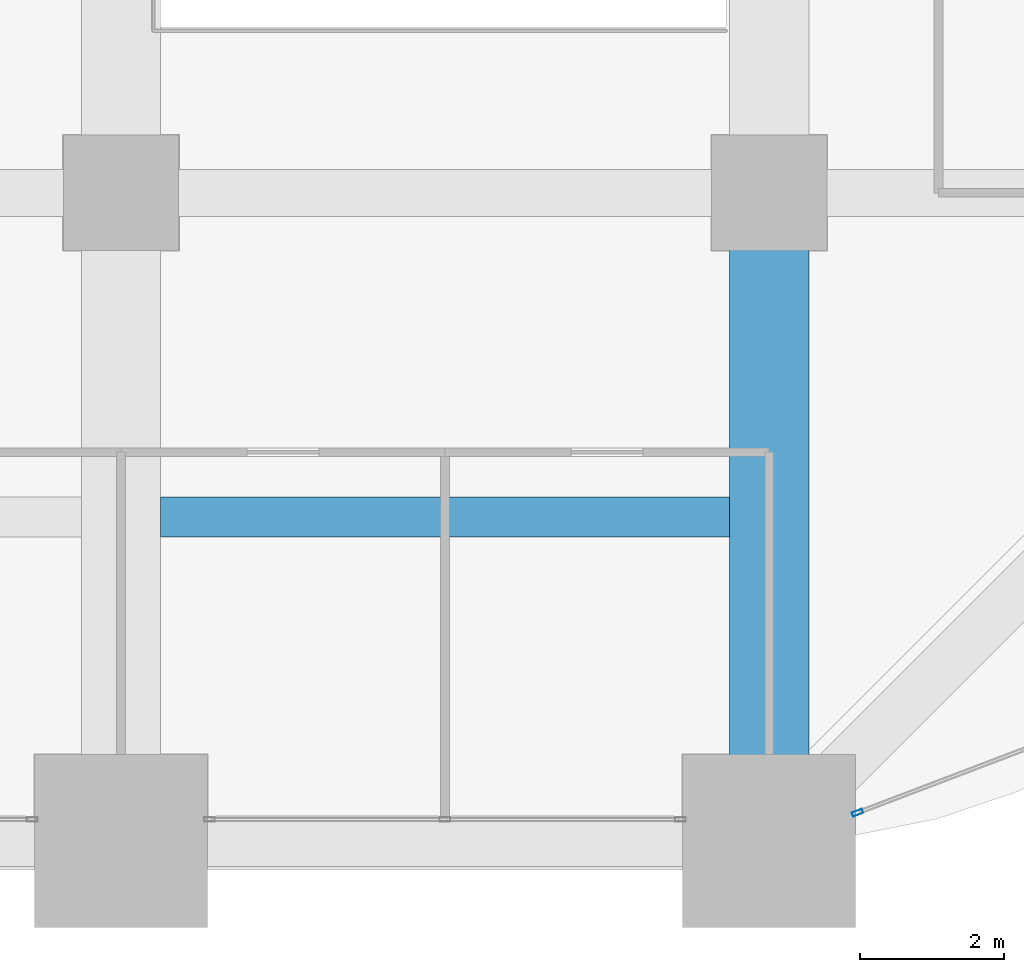
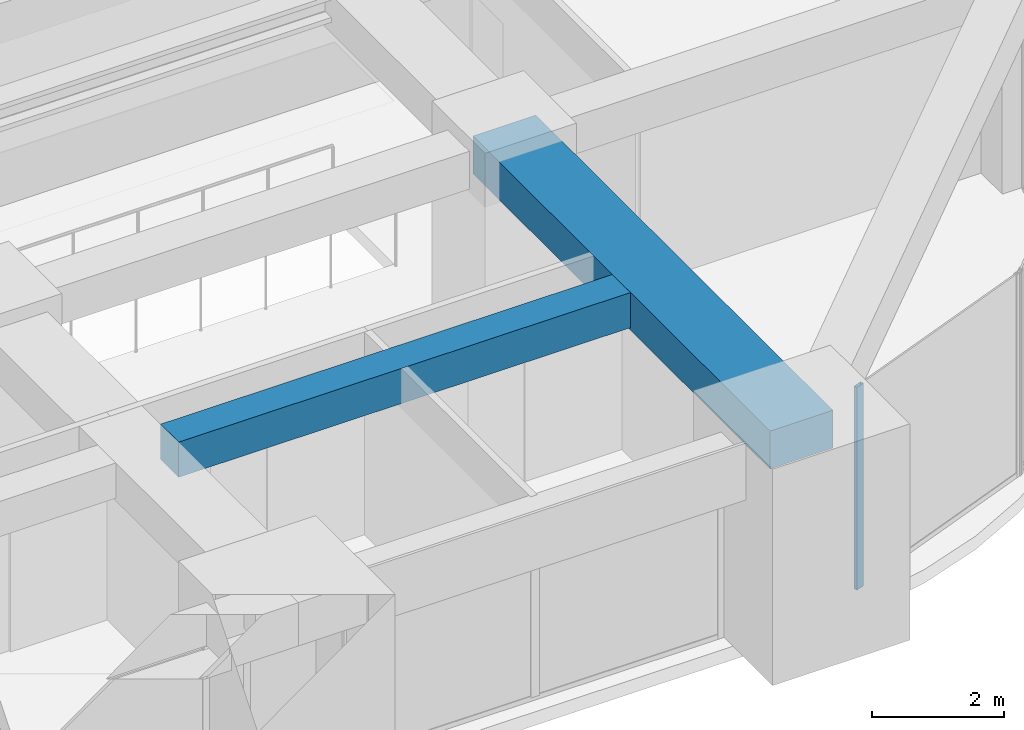
# One storey, part 14 of 33: 2 beams, 1 member, 1 element without a shape of its own.
"""IFC4 building model written with IfcOpenShell, lengths in metres."""

from ifc_helpers import new_model, si_unit, direction, frame, origin, origin_2d, place, context, subcontext, project, spatial, rectangle, hollow_rectangle, extrude, material, material_profile, profile_set, type_object, element, aggregate, save


model = new_model("IFC4")

# Units and contexts
model_context = context("Model", 3, precision=1e-05, world=origin(), true_north=direction((0.0, 1.0)))
body_context = subcontext(model_context, "Body", "Model", "MODEL_VIEW")
ifc_project = project(units=[si_unit("LENGTHUNIT", "METRE"), si_unit("AREAUNIT", "SQUARE_METRE"), si_unit("VOLUMEUNIT", "CUBIC_METRE"), si_unit("PLANEANGLEUNIT", "RADIAN"), si_unit("MASSUNIT", "GRAM", prefix="KILO")], contexts=[model_context])

# Site, building, storey
site_placement = place(None, origin())
site = spatial("IfcSite", under=ifc_project, at=site_placement, CompositionType="ELEMENT")
building_placement = place(site_placement, origin())
building = spatial("IfcBuilding", under=site, at=building_placement, Name="Zorevar Civic Tower", CompositionType="ELEMENT")
storey_placement = place(building_placement, frame((0.0, 0.0, 178.199951171875)))
storey = spatial("IfcBuildingStorey", under=building, at=storey_placement, Name="L43", CompositionType="ELEMENT", Elevation=178.199951171875)

# Beams
ifc_material_1 = material(Name="Concrete C50/60", Category="concrete")
ifc_material_profile_1 = material_profile(ifc_material_1, rectangle(XDim=1.10009765625, YDim=0.699951171875, at=origin_2d()), Name="RC 1100x700")
ifc_profile_set_1 = profile_set([ifc_material_profile_1], Name="Concrete C50/60")
beam_type_1 = type_object("IfcBeamType", Name="Beam RC 1100x700", PredefinedType="BEAM", material=ifc_profile_set_1)
beam_1_placement = place(storey_placement, frame((45.0, 0.0, 3.400146484375), z_axis=(0.0, 1.0, 0.0), x_axis=(-1.0, 0.0, 0.0)))
element("IfcBeam", 1, at=beam_1_placement, inside=storey, type_object=beam_type_1, Name="Girder L44", PredefinedType="BEAM", context=body_context, shape_type="SweptSolid", body=[
    extrude(rectangle(XDim=1.10009765625, YDim=0.699951171875, at=origin_2d()), origin(), (0.0, 0.0, 1.0), 9.0),
])
ifc_material_2 = material(Name="Concrete C50/60", Category="concrete")
ifc_material_profile_2 = material_profile(ifc_material_2, rectangle(XDim=0.550048828125, YDim=0.64990234375, at=origin_2d()), Name="RC 550x650")
ifc_profile_set_2 = profile_set([ifc_material_profile_2], Name="Concrete C50/60")
beam_type_2 = type_object("IfcBeamType", Name="Beam RC 550x650", PredefinedType="BEAM", material=ifc_profile_set_2)
beam_2_placement = place(storey_placement, frame((36.550048828125, 4.5, 3.425048828125), z_axis=(1.0, 0.0, 0.0), x_axis=(0.0, 1.0, 0.0)))
element("IfcBeam", 2, at=beam_2_placement, inside=storey, type_object=beam_type_2, Name="Secondary beam L44", PredefinedType="BEAM", context=body_context, shape_type="SweptSolid", body=[
    extrude(rectangle(XDim=0.550048828125, YDim=0.64990234375, at=origin_2d()), origin(), (0.0, 0.0, 1.0), 7.89990234375),
])

# Curtain wall, member
ifc_material_3 = material(Name="Dark grey solar-control glass in black aluminium frame", Category="aluminium")
curtain_wall_type = type_object("IfcCurtainWallType", Name="Curtain wall CW4 high zone", PredefinedType="NOTDEFINED", material=ifc_material_3)
curtain_wall_placement = place(storey_placement, origin())
curtain_wall = element("IfcCurtainWall", 3, at=curtain_wall_placement, inside=storey, type_object=curtain_wall_type, Name="CW4 L43", PredefinedType="NOTDEFINED")
ifc_material_4 = material(Name="Aluminium, black anodised", Category="aluminium")
ifc_material_profile_3 = material_profile(ifc_material_4, hollow_rectangle(XDim=0.06005859375, YDim=0.14990234375, WallThickness=0.00390625, at=origin_2d()), Name="AL 150x60x4")
ifc_profile_set_3 = profile_set([ifc_material_profile_3], Name="Aluminium, black anodised")
member_type = type_object("IfcMemberType", Name="CW4 mullion AL 150x60x4", PredefinedType="MULLION", material=ifc_profile_set_3)
member_placement = place(storey_placement, frame((46.22802734375, 0.393798828125, 0.0), z_axis=(0.0, 0.0, 1.0), x_axis=(-0.355730895803, 0.93458842801, 0.0)))
member = element("IfcMember", 4, at=member_placement, type_object=member_type, Name="CW4 mullion 1", PredefinedType="MULLION", context=body_context, shape_type="SweptSolid", body=[
    extrude(hollow_rectangle(XDim=0.06005859375, YDim=0.14990234375, WallThickness=0.00390625, at=origin_2d()), origin(), (0.0, 0.0, 1.0), 3.75),
])
aggregate(curtain_wall, [member])

save(model, "model.ifc")
